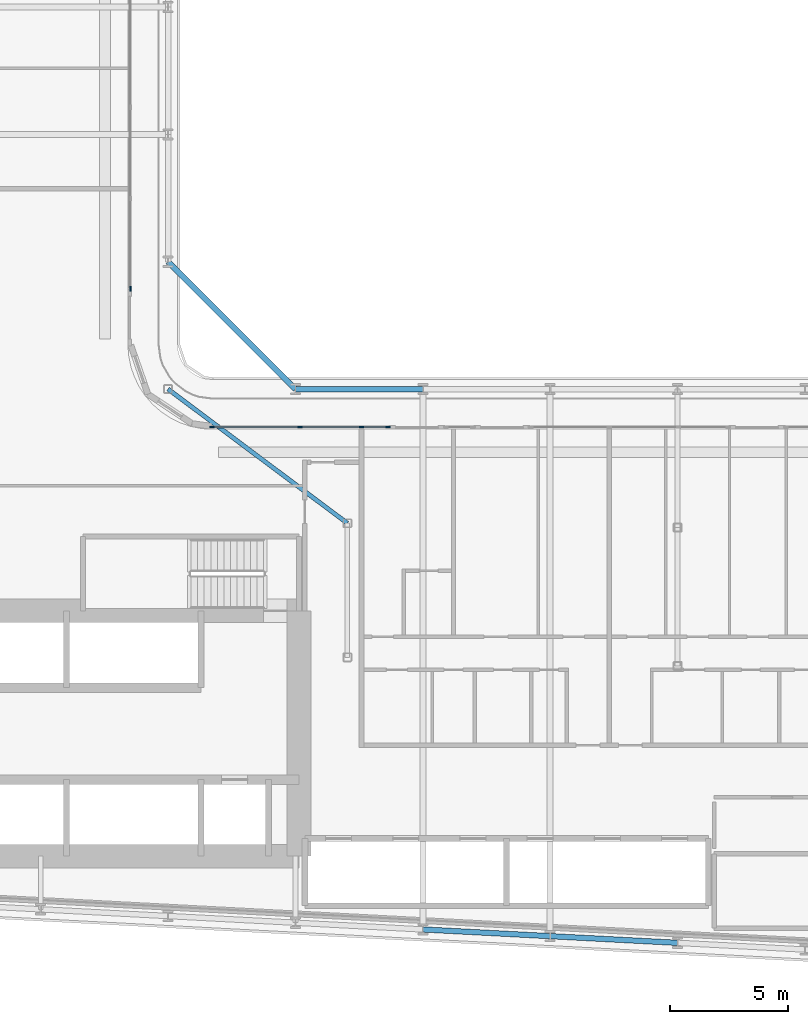
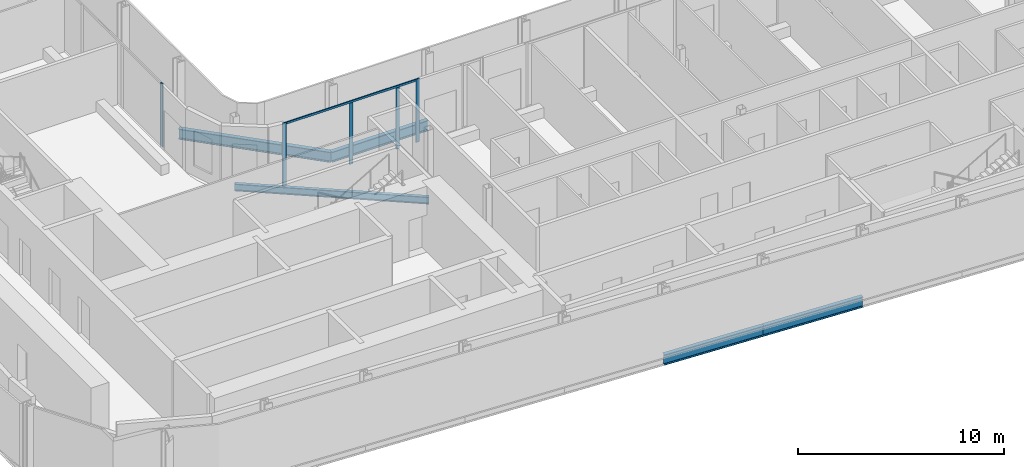
# One storey, part 4 of 24: 6 members, 5 beams, 2 elements without a shape of their own.
"""IFC4 building model written with IfcOpenShell, lengths in metres."""

from ifc_helpers import new_model, si_unit, direction, frame, origin, origin_2d, place, context, subcontext, project, spatial, rectangle, i_section, extrude, material, layer, layer_set, material_profile, profile_set, type_object, element, aggregate, save


model = new_model("IFC4")

# Units and contexts
model_context = context("Model", 3, precision=1e-05, world=origin(), true_north=direction((0.0, 1.0)))
body_context = subcontext(model_context, "Body", "Model", "MODEL_VIEW")
ifc_project = project(units=[si_unit("LENGTHUNIT", "METRE"), si_unit("AREAUNIT", "SQUARE_METRE"), si_unit("VOLUMEUNIT", "CUBIC_METRE"), si_unit("PLANEANGLEUNIT", "RADIAN"), si_unit("MASSUNIT", "GRAM", prefix="KILO")], contexts=[model_context])

# Site, building, storey
site_placement = place(None, origin())
site = spatial("IfcSite", under=ifc_project, at=site_placement, CompositionType="ELEMENT")
building_placement = place(site_placement, origin())
building = spatial("IfcBuilding", under=site, at=building_placement, Name="Kheshtan School and Residences Tower", CompositionType="ELEMENT")
storey_placement = place(building_placement, frame((0.0, 0.0, 38.300048828125)))
storey = spatial("IfcBuildingStorey", under=building, at=storey_placement, Name="L08", CompositionType="ELEMENT", Elevation=38.300048828125)

# Beams
ifc_material_1 = material(Name="Steel ASTM A992 Grade 50", Category="steel")
ifc_material_profile_1 = material_profile(ifc_material_1, i_section(OverallWidth=0.180908203125, OverallDepth=0.4169921875, WebThickness=0.010986328125, FlangeThickness=0.018310546875, FilletRadius=0.012451171875, at=origin_2d()), Name="W410x85")
ifc_profile_set_1 = profile_set([ifc_material_profile_1], Name="Steel ASTM A992 Grade 50")
beam_type_1 = type_object("IfcBeamType", Name="Beam FB3 W410x85 ASTM A992 Grade 50", PredefinedType="BEAM", material=ifc_profile_set_1)
beam_1_placement = place(storey_placement, frame((47.60009765625, 45.60009765625, -0.358642578125), z_axis=(0.800798828004, -0.598933416222, 0.0), x_axis=(0.598933416222, 0.800798828004, 0.0)))
element("IfcBeam", 1, at=beam_1_placement, inside=storey, type_object=beam_type_1, Name="Floor beam IC", PredefinedType="BEAM", context=body_context, shape_type="SweptSolid", body=[
    extrude(i_section(OverallWidth=0.180908203125, OverallDepth=0.4169921875, WebThickness=0.010986328125, FlangeThickness=0.018310546875, FilletRadius=0.012451171875, at=origin_2d()), origin(), (0.0, 0.0, 1.0), 9.490234375),
])
ifc_material_profile_2 = material_profile(ifc_material_1, i_section(OverallWidth=0.22998046875, OverallDepth=0.616943359375, WebThickness=0.01318359375, FlangeThickness=0.022216796875, FilletRadius=0.0185546875, at=origin_2d()), Name="W610x140")
ifc_profile_set_2 = profile_set([ifc_material_profile_2], Name="Steel ASTM A992 Grade 50")
beam_type_2 = type_object("IfcBeamType", Name="Beam SP1 W610x140 ASTM A992 Grade 50", PredefinedType="BEAM", material=ifc_profile_set_2)
beam_2_placement = place(storey_placement, frame((47.60009765625, 51.0, -0.45849609375), z_axis=(0.707106781187, -0.707106781187, 0.0), x_axis=(0.707106781187, 0.707106781187, 0.0)))
element("IfcBeam", 2, at=beam_2_placement, inside=storey, type_object=beam_type_2, Name="Spandrel beam C079-C061", PredefinedType="BEAM", context=body_context, shape_type="SweptSolid", body=[
    extrude(i_section(OverallWidth=0.22998046875, OverallDepth=0.616943359375, WebThickness=0.01318359375, FlangeThickness=0.022216796875, FilletRadius=0.0185546875, at=origin_2d()), origin(), (0.0, 0.0, 1.0), 7.63671875),
])
beam_3_placement = place(storey_placement, frame((53.0, 45.60009765625, -0.45849609375), z_axis=(1.0, 0.0, 0.0), x_axis=(0.0, 1.0, 0.0)))
element("IfcBeam", 3, at=beam_3_placement, inside=storey, type_object=beam_type_2, Name="Spandrel beam C061-C062", PredefinedType="BEAM", context=body_context, shape_type="SweptSolid", body=[
    extrude(i_section(OverallWidth=0.22998046875, OverallDepth=0.616943359375, WebThickness=0.01318359375, FlangeThickness=0.022216796875, FilletRadius=0.0185546875, at=origin_2d()), origin(), (0.0, 0.0, 1.0), 5.39990234375),
])
beam_4_placement = place(storey_placement, frame((69.199951171875, 22.126953125, -0.45849609375), z_axis=(-0.998620447272, 0.05250906864, 0.0), x_axis=(-0.05250906864, -0.998620447272, 0.0)))
element("IfcBeam", 4, at=beam_4_placement, inside=storey, type_object=beam_type_2, Name="Spandrel beam C014-C016", PredefinedType="BEAM", context=body_context, shape_type="SweptSolid", body=[
    extrude(i_section(OverallWidth=0.22998046875, OverallDepth=0.616943359375, WebThickness=0.01318359375, FlangeThickness=0.022216796875, FilletRadius=0.0185546875, at=origin_2d()), origin(), (0.0, 0.0, 1.0), 5.407470703125),
])
beam_5_placement = place(storey_placement, frame((63.800048828125, 22.410888671875, -0.45849609375), z_axis=(-0.998618203458, 0.052551724256, 0.0), x_axis=(-0.052551724256, -0.998618203458, 0.0)))
element("IfcBeam", 5, at=beam_5_placement, inside=storey, type_object=beam_type_2, Name="Spandrel beam C016-C018", PredefinedType="BEAM", context=body_context, shape_type="SweptSolid", body=[
    extrude(i_section(OverallWidth=0.22998046875, OverallDepth=0.616943359375, WebThickness=0.01318359375, FlangeThickness=0.022216796875, FilletRadius=0.0185546875, at=origin_2d()), origin(), (0.0, 0.0, 1.0), 5.40771484375),
])

# Curtain wall, member
ifc_material_2 = material(Name="Clear low-e glass in thermally broken aluminium frame", Category="aluminium")
ifc_layer = layer(ifc_material_2, 0.199951171875)
ifc_layer_set = layer_set([ifc_layer], Name="Curtain wall CW-L")
curtain_wall_type = type_object("IfcCurtainWallType", Name="Curtain wall CW-L", PredefinedType="NOTDEFINED", material=ifc_layer_set)
curtain_wall_1_placement = place(storey_placement, origin())
curtain_wall_1 = element("IfcCurtainWall", 6, at=curtain_wall_1_placement, inside=storey, type_object=curtain_wall_type, Name="Curtain wall CWL8", PredefinedType="NOTDEFINED")
ifc_material_3 = material(Name="Thermally broken aluminium, dark bronze anodised", Category="aluminium")
ifc_material_profile_3 = material_profile(ifc_material_3, rectangle(XDim=0.06005859375, YDim=0.199951171875, at=origin_2d()), Name="CW-L mullion 60x200")
ifc_profile_set_3 = profile_set([ifc_material_profile_3], Name="Thermally broken aluminium, dark bronze anodised")
member_type_1 = type_object("IfcMemberType", Name="CW-L mullion 60x200", PredefinedType="MULLION", material=ifc_profile_set_3)
member_1_placement = place(storey_placement, frame((46.0, 49.860107421875, 0.0), z_axis=(0.0, 0.0, 1.0), x_axis=(1.0, 0.0, 0.0)))
member_1 = element("IfcMember", 7, at=member_1_placement, type_object=member_type_1, Name="CWL8 mullion 3", PredefinedType="MULLION", context=body_context, shape_type="SweptSolid", body=[
    extrude(rectangle(XDim=0.06005859375, YDim=0.199951171875, at=origin_2d()), origin(), (0.0, 0.0, 1.0), 3.75),
])
aggregate(curtain_wall_1, [member_1])

# Curtain wall, members
curtain_wall_2_placement = place(storey_placement, origin())
curtain_wall_2 = element("IfcCurtainWall", 8, at=curtain_wall_2_placement, inside=storey, type_object=curtain_wall_type, Name="Curtain wall CWL12", PredefinedType="NOTDEFINED")
member_2_placement = place(storey_placement, frame((49.4599609375, 44.0, 0.0), z_axis=(0.0, 0.0, 1.0), x_axis=(0.0, 1.0, 0.0)))
member_2 = element("IfcMember", 9, at=member_2_placement, type_object=member_type_1, Name="CWL12 mullion 1", PredefinedType="MULLION", context=body_context, shape_type="SweptSolid", body=[
    extrude(rectangle(XDim=0.06005859375, YDim=0.199951171875, at=origin_2d()), origin(), (0.0, 0.0, 1.0), 3.75),
])
member_3_placement = place(storey_placement, frame((53.188720703125, 44.0, 0.0), z_axis=(0.0, 0.0, 1.0), x_axis=(0.0, 1.0, 0.0)))
member_3 = element("IfcMember", 10, at=member_3_placement, type_object=member_type_1, Name="CWL12 mullion 2", PredefinedType="MULLION", context=body_context, shape_type="SweptSolid", body=[
    extrude(rectangle(XDim=0.06005859375, YDim=0.199951171875, at=origin_2d()), origin(), (0.0, 0.0, 1.0), 3.6298828125),
])
member_4_placement = place(storey_placement, frame((55.800048828125, 44.0, 0.0), z_axis=(0.0, 0.0, 1.0), x_axis=(0.0, 1.0, 0.0)))
member_4 = element("IfcMember", 11, at=member_4_placement, type_object=member_type_1, Name="CWL12 mullion 3", PredefinedType="MULLION", context=body_context, shape_type="SweptSolid", body=[
    extrude(rectangle(XDim=0.06005859375, YDim=0.199951171875, at=origin_2d()), origin(), (0.0, 0.0, 1.0), 3.6298828125),
])
member_5_placement = place(storey_placement, frame((56.91748046875, 44.0, 0.0), z_axis=(0.0, 0.0, 1.0), x_axis=(0.0, 1.0, 0.0)))
member_5 = element("IfcMember", 12, at=member_5_placement, type_object=member_type_1, Name="CWL12 mullion 4", PredefinedType="MULLION", context=body_context, shape_type="SweptSolid", body=[
    extrude(rectangle(XDim=0.06005859375, YDim=0.199951171875, at=origin_2d()), origin(), (0.0, 0.0, 1.0), 3.75),
])
ifc_material_profile_4 = material_profile(ifc_material_3, rectangle(XDim=0.06005859375, YDim=0.1201171875, at=origin_2d()), Name="CW-L transom 60x120")
ifc_profile_set_4 = profile_set([ifc_material_profile_4], Name="Thermally broken aluminium, dark bronze anodised")
member_type_2 = type_object("IfcMemberType", Name="CW-L transom 60x120", PredefinedType="USERDEFINED", material=ifc_profile_set_4)
member_6_placement = place(storey_placement, frame((49.489990234375, 44.0, 3.68994140625), z_axis=(1.0, 0.0, 0.0), x_axis=(0.0, 1.0, 0.0)))
member_6 = element("IfcMember", 13, at=member_6_placement, type_object=member_type_2, Name="CWL12 transom 1", ObjectType="TRANSOM", PredefinedType="USERDEFINED", context=body_context, shape_type="SweptSolid", body=[
    extrude(rectangle(XDim=0.06005859375, YDim=0.1201171875, at=origin_2d()), origin(), (0.0, 0.0, 1.0), 7.3974609375),
])
aggregate(curtain_wall_2, [member_2, member_3, member_4, member_5, member_6])

save(model, "model.ifc")
